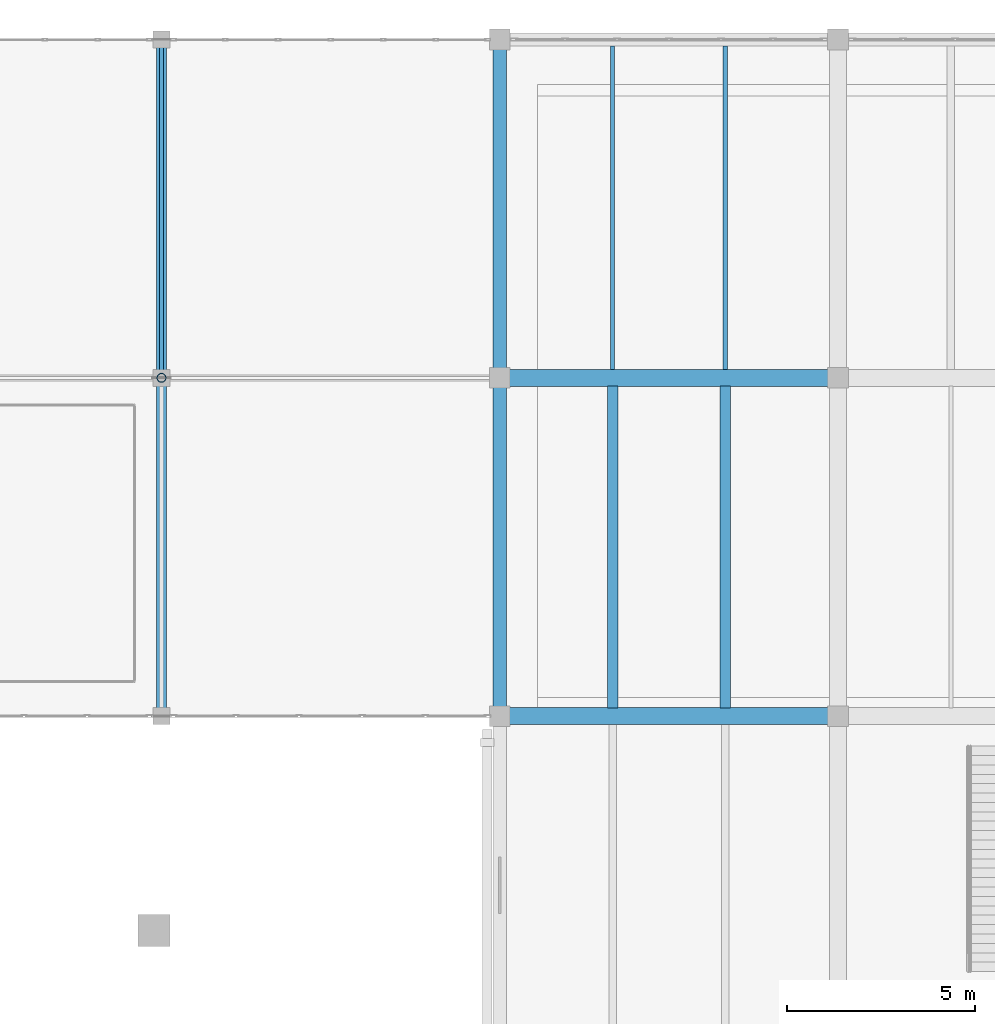
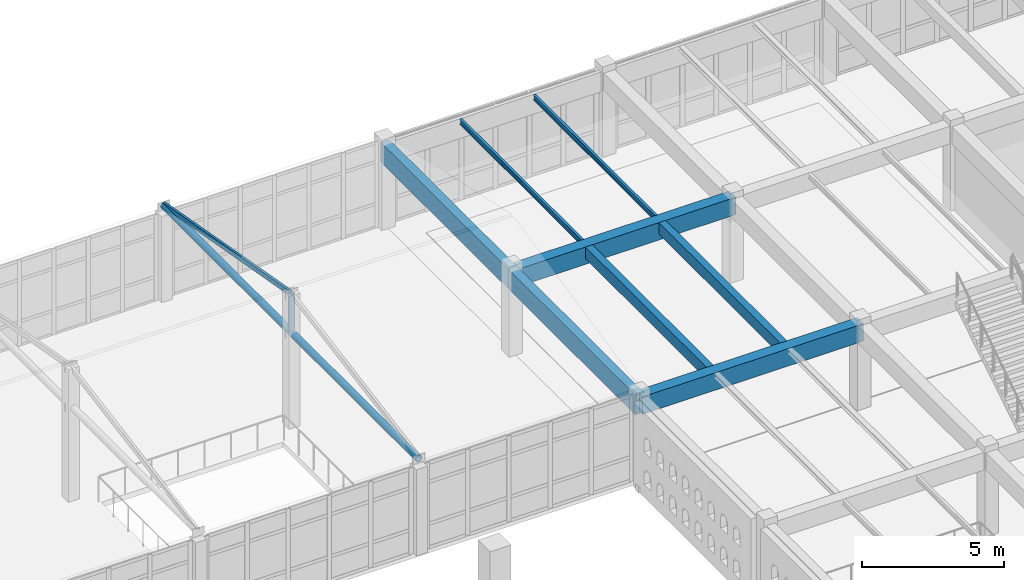
# One storey, part 95 of 156: 8 beams, 3 members.
"""IFC4 building model written with IfcOpenShell, lengths in metres."""

from ifc_helpers import new_model, si_unit, direction, frame, origin, origin_2d, place, context, subcontext, project, spatial, rectangle, hollow_rectangle, hollow_circle, i_section, extrude, material, material_profile, profile_set, type_object, element, save


model = new_model("IFC4")

# Units and contexts
model_context = context("Model", 3, precision=1e-05, world=origin(), true_north=direction((0.0, 1.0)))
body_context = subcontext(model_context, "Body", "Model", "MODEL_VIEW")
ifc_project = project(units=[si_unit("LENGTHUNIT", "METRE"), si_unit("AREAUNIT", "SQUARE_METRE"), si_unit("VOLUMEUNIT", "CUBIC_METRE"), si_unit("PLANEANGLEUNIT", "RADIAN"), si_unit("MASSUNIT", "GRAM", prefix="KILO")], contexts=[model_context])

# Site, building, storey
site_placement = place(None, origin())
site = spatial("IfcSite", under=ifc_project, at=site_placement, CompositionType="ELEMENT")
building_placement = place(site_placement, origin())
building = spatial("IfcBuilding", under=site, at=building_placement, Name="Ornek Quay Market", CompositionType="ELEMENT")
storey_placement = place(building_placement, frame((0.0, 0.0, 4.5)))
storey = spatial("IfcBuildingStorey", under=building, at=storey_placement, Name="L01", CompositionType="ELEMENT", Elevation=4.5)

# Beams
ifc_material_1 = material(Name="Concrete C40/50", Category="concrete")
ifc_material_profile_1 = material_profile(ifc_material_1, rectangle(XDim=0.449951171875, YDim=0.75, at=origin_2d()), Name="RC 450x750", Category="concrete")
ifc_profile_set_1 = profile_set([ifc_material_profile_1], Name="Concrete C40/50")
beam_type_1 = type_object("IfcBeamType", Name="BM-FC-450x750", PredefinedType="BEAM", material=ifc_profile_set_1)
for number, where, z_axis, x_axis, name in (
    (1, (153.0, 92.0, 3.2548828125), (1.0, 0.0, 0.0), (0.0, 1.0, 0.0), "Primary beam B-FC1-043"),
    (2, (153.0, 101.0, 3.2548828125), (1.0, 0.0, 0.0), (0.0, 1.0, 0.0), "Primary beam B-FC1-046"),
):
    element("IfcBeam", number, at=place(storey_placement, frame(where, z_axis=z_axis, x_axis=x_axis)), inside=storey, type_object=beam_type_1, Name=name, PredefinedType="BEAM", context=body_context, shape_type="SweptSolid", body=[
        extrude(rectangle(XDim=0.449951171875, YDim=0.75, at=origin_2d()), origin(), (0.0, 0.0, 1.0), 9.0),
    ])
ifc_material_2 = material(Name="Concrete C35/45", Category="concrete")
ifc_material_profile_2 = material_profile(ifc_material_2, rectangle(XDim=0.280029296875, YDim=0.5, at=origin_2d()), Name="RC 280x500", Category="concrete")
ifc_profile_set_2 = profile_set([ifc_material_profile_2], Name="Concrete C35/45")
beam_type_2 = type_object("IfcBeamType", Name="BM-SEC-280x500", PredefinedType="JOIST", material=ifc_profile_set_2)
for number, where, z_axis, x_axis, name in (
    (3, (156.0, 92.217041015625, 3.3798828125), (0.0, 1.0, 0.0), (-1.0, 0.0, 0.0), "Secondary joist B-SC2-073"),
    (4, (159.0, 92.217041015625, 3.3798828125), (0.0, 1.0, 0.0), (-1.0, 0.0, 0.0), "Secondary joist B-SC2-074"),
):
    element("IfcBeam", number, at=place(storey_placement, frame(where, z_axis=z_axis, x_axis=x_axis)), inside=storey, type_object=beam_type_2, Name=name, PredefinedType="JOIST", context=body_context, shape_type="SweptSolid", body=[
        extrude(rectangle(XDim=0.280029296875, YDim=0.5, at=origin_2d()), origin(), (0.0, 0.0, 1.0), 8.56591796875),
    ])
ifc_material_profile_3 = material_profile(ifc_material_1, rectangle(XDim=0.35009765625, YDim=0.85009765625, at=origin_2d()), Name="RC 350x850", Category="concrete")
ifc_profile_set_3 = profile_set([ifc_material_profile_3], Name="Concrete C40/50")
beam_type_3 = type_object("IfcBeamType", Name="BM-SPN-350x850", PredefinedType="SPANDREL", material=ifc_profile_set_3)
for number, where, z_axis, x_axis, name in (
    (5, (153.0, 92.0, 3.205078125), (0.0, 1.0, 0.0), (-1.0, 0.0, 0.0), "Primary beam B-SP1-110"),
    (6, (153.0, 101.0, 3.205078125), (0.0, 1.0, 0.0), (-1.0, 0.0, 0.0), "Primary beam B-SP1-111"),
):
    element("IfcBeam", number, at=place(storey_placement, frame(where, z_axis=z_axis, x_axis=x_axis)), inside=storey, type_object=beam_type_3, Name=name, PredefinedType="SPANDREL", context=body_context, shape_type="SweptSolid", body=[
        extrude(rectangle(XDim=0.35009765625, YDim=0.85009765625, at=origin_2d()), origin(), (0.0, 0.0, 1.0), 9.0),
    ])
ifc_material_3 = material(Name="Steel S355", Category="steel")
ifc_material_profile_4 = material_profile(ifc_material_3, i_section(OverallWidth=0.110107421875, OverallDepth=0.219970703125, WebThickness=0.005859375, FlangeThickness=0.00927734375, FilletRadius=0.011962890625, at=origin_2d()), Name="IPE 220", Category="steel")
ifc_profile_set_4 = profile_set([ifc_material_profile_4], Name="Steel S355")
beam_type_4 = type_object("IfcBeamType", Name="BM-STL-IPE220", PredefinedType="JOIST", material=ifc_profile_set_4)
for number, where, z_axis, x_axis, name in (
    (7, (156.0, 101.217041015625, 3.52001953125), (0.0, 1.0, 0.0), (-1.0, 0.0, 0.0), "Secondary joist SB-03-032"),
    (8, (159.0, 101.217041015625, 3.52001953125), (0.0, 1.0, 0.0), (-1.0, 0.0, 0.0), "Secondary joist SB-03-033"),
):
    element("IfcBeam", number, at=place(storey_placement, frame(where, z_axis=z_axis, x_axis=x_axis)), inside=storey, type_object=beam_type_4, Name=name, PredefinedType="JOIST", context=body_context, shape_type="SweptSolid", body=[
        extrude(i_section(OverallWidth=0.110107421875, OverallDepth=0.219970703125, WebThickness=0.005859375, FlangeThickness=0.00927734375, FilletRadius=0.011962890625, at=origin_2d()), origin(), (0.0, 0.0, 1.0), 8.615966796875),
    ])

# Members
ifc_material_profile_5 = material_profile(ifc_material_3, hollow_circle(Radius=0.136474609375, WallThickness=0.012451171875, at=origin_2d()), Name="CHS 273x12.5", Category="steel")
ifc_profile_set_5 = profile_set([ifc_material_profile_5], Name="Steel S355")
member_type_1 = type_object("IfcMemberType", Name="MBR-CHD-CHS273", PredefinedType="CHORD", material=ifc_profile_set_5)
member_1_placement = place(storey_placement, frame((144.0, 92.0, 3.97998046875), z_axis=(0.0, 1.0, 0.0), x_axis=(-1.0, 0.0, 0.0)))
element("IfcMember", 9, at=member_1_placement, inside=storey, type_object=member_type_1, Name="Concourse skylight tie chord E-144", PredefinedType="CHORD", context=body_context, shape_type="SweptSolid", body=[
    extrude(hollow_circle(Radius=0.136474609375, WallThickness=0.012451171875, at=origin_2d()), origin(), (0.0, 0.0, 1.0), 18.0),
])
ifc_material_profile_6 = material_profile(ifc_material_3, hollow_rectangle(XDim=0.10009765625, YDim=0.199951171875, WallThickness=0.008056640625, at=origin_2d()), Name="MBR-RAF-100x200", Category="steel")
ifc_profile_set_6 = profile_set([ifc_material_profile_6], Name="Steel S355")
member_type_2 = type_object("IfcMemberType", Name="MBR-RAF-100x200", PredefinedType="RAFTER", material=ifc_profile_set_6)
member_2_placement = place(storey_placement, frame((144.0, 101.0, 5.64990234375), z_axis=(0.0, 0.984185744367, -0.177139551158), x_axis=(-1.0, 0.0, 0.0)))
element("IfcMember", 10, at=member_2_placement, inside=storey, type_object=member_type_2, Name="Concourse skylight rafter E-144-N", PredefinedType="RAFTER", context=body_context, shape_type="SweptSolid", body=[
    extrude(hollow_rectangle(XDim=0.10009765625, YDim=0.199951171875, WallThickness=0.008056640625, at=origin_2d()), origin(), (0.0, 0.0, 1.0), 9.14453125),
])
ifc_material_profile_7 = material_profile(ifc_material_3, hollow_circle(Radius=0.122314453125, WallThickness=0.012451171875, at=origin_2d()), Name="CHS 244.5x12.5", Category="steel")
ifc_profile_set_7 = profile_set([ifc_material_profile_7], Name="Steel S355")
member_type_3 = type_object("IfcMemberType", Name="MBR-STR-CHS244", PredefinedType="STRUT", material=ifc_profile_set_7)
member_3_placement = place(storey_placement, frame((144.0, 101.0, 3.97998046875), z_axis=(0.0, 0.0, 1.0), x_axis=(1.0, 0.0, 0.0)))
element("IfcMember", 11, at=member_3_placement, inside=storey, type_object=member_type_3, Name="Concourse kingpost strut E-144", PredefinedType="STRUT", context=body_context, shape_type="SweptSolid", body=[
    extrude(hollow_circle(Radius=0.122314453125, WallThickness=0.012451171875, at=origin_2d()), origin(), (0.0, 0.0, 1.0), 1.669921875),
])

save(model, "model.ifc")
